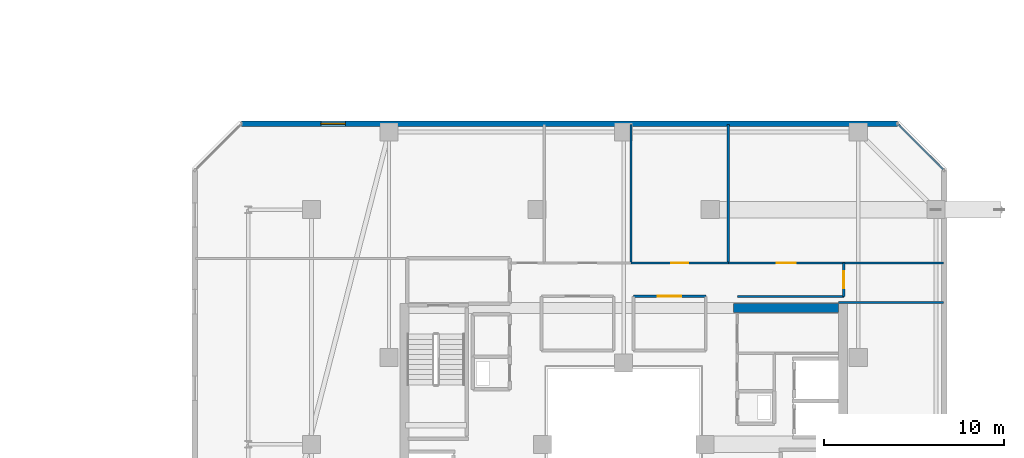
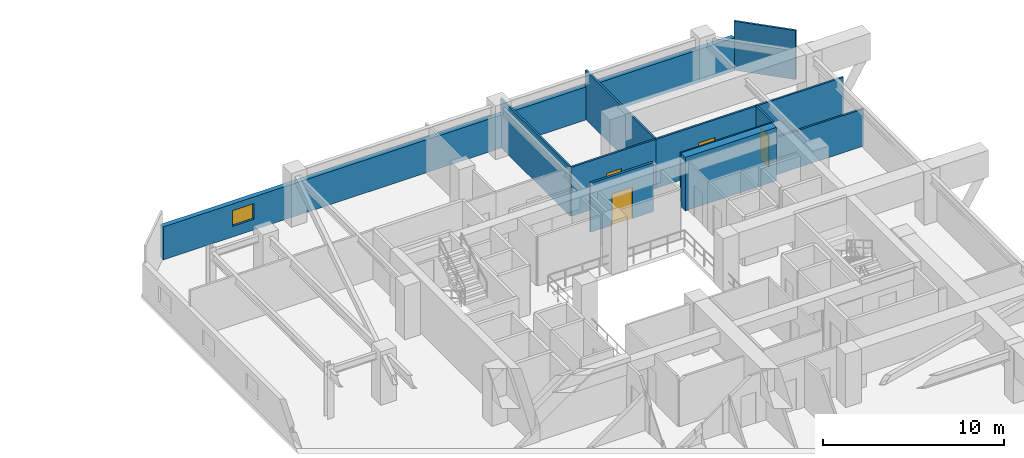
# One storey, part 28 of 35: 12 walls, 4 doors, 1 window, 5 openings.
"""IFC4 building model written with IfcOpenShell, lengths in metres."""

from ifc_helpers import new_model, si_unit, direction, frame, frame_2d, origin, place, context, subcontext, project, spatial, rectangle, extrude, material, layer, layer_set, type_object, element, fill, save


model = new_model("IFC4")

# Units and contexts
model_context = context("Model", 3, precision=1e-05, world=origin(), true_north=direction((0.0, 1.0)))
body_context = subcontext(model_context, "Body", "Model", "MODEL_VIEW")
ifc_project = project(units=[si_unit("LENGTHUNIT", "METRE"), si_unit("AREAUNIT", "SQUARE_METRE"), si_unit("VOLUMEUNIT", "CUBIC_METRE"), si_unit("PLANEANGLEUNIT", "RADIAN"), si_unit("MASSUNIT", "GRAM", prefix="KILO")], contexts=[model_context])

# Site, building, storey
site_placement = place(None, origin())
site = spatial("IfcSite", under=ifc_project, at=site_placement, CompositionType="ELEMENT")
building_placement = place(site_placement, origin())
building = spatial("IfcBuilding", under=site, at=building_placement, Name="Thornwick Lancets Civic Towers", CompositionType="ELEMENT")
storey_placement = place(building_placement, frame((0.0, 0.0, 225.89990234375)))
storey = spatial("IfcBuildingStorey", under=building, at=storey_placement, Name="L60", CompositionType="ELEMENT", Elevation=225.89990234375)

# Wall
ifc_material_1 = material(Name="Concrete C50/60", Category="concrete")
ifc_layer_1 = layer(ifc_material_1, 0.5, Name="Concrete C50/60")
ifc_layer_set_1 = layer_set([ifc_layer_1], Name="Concrete C50/60")
wall_type_1 = type_object("IfcWallType", Name="WALL_CORE_500", PredefinedType="SHEAR", material=ifc_layer_set_1)
wall_1_placement = place(storey_placement, frame((94.60009765625, 34.550048828125, 0.0), z_axis=(0.0, 0.0, 1.0), x_axis=(1.0, 0.0, 0.0)))
element("IfcWall", 1, at=wall_1_placement, inside=storey, type_object=wall_type_1, Name="L60 Split Core B1 Shear Wall N", PredefinedType="SHEAR", context=body_context, shape_type="SweptSolid", body=[
    extrude(rectangle(XDim=5.7998046875, YDim=0.5, at=frame_2d((2.89990234375, 0.0))), origin(), (0.0, 0.0, 1.0), 3.60009765625),
])

# Wall, opening, window
ifc_material_2 = material(Name="Insulated russet terracotta rainscreen on concrete C40/50", Category="masonry")
ifc_layer_2 = layer(ifc_material_2, 0.300048828125, Name="Insulated russet terracotta rainscreen on concrete C40/50")
ifc_layer_set_2 = layer_set([ifc_layer_2], Name="Insulated russet terracotta rainscreen on concrete C40/50")
wall_type_2 = type_object("IfcWallType", Name="WALL_EXT_RUSSET_300", PredefinedType="STANDARD", material=ifc_layer_set_2)
wall_2_placement = place(storey_placement, frame((103.681396484375, 44.7646484375, 0.0), z_axis=(0.0, 0.0, 1.0), x_axis=(-1.0, 0.0, 0.0)))
wall_2 = element("IfcWall", 2, at=wall_2_placement, inside=storey, type_object=wall_type_2, Name="L60 Tower B Terracotta Facade Wall E4", PredefinedType="STANDARD", context=body_context, shape_type="SweptSolid", body=[
    extrude(rectangle(XDim=36.36279296875, YDim=0.300048828125, at=frame_2d((18.181396484375, 0.0))), origin(), (0.0, 0.0, 1.0), 2.22021484375),
])
opening_1_placement = place(wall_2_placement, frame((30.60009765625, 0.0, 0.719970703125)))
opening_1 = element("IfcOpeningElement", 3, at=opening_1_placement, cuts=wall_2, Name="Opening WL-03", PredefinedType="OPENING", context=body_context, shape_type="SweptSolid", body=[
    extrude(rectangle(XDim=1.35009765625, YDim=1.050048828125, at=frame_2d((0.675048828125, 0.52490234375))), frame((0.0, 0.16015625, 0.0), z_axis=(0.0, -1.0, 0.0), x_axis=(1.0, 0.0, 0.0)), (0.0, 0.0, 1.0), 0.320068359375),
])
ifc_material_3 = material(Name="Clear low-e double glazing clerestory lancet", Category="glass")
window_type = type_object("IfcWindowType", Name="WIN_LANCET_1350", PartitioningType="SINGLE_PANEL", PredefinedType="WINDOW", material=ifc_material_3)
window_placement = place(opening_1_placement, origin())
window = element("IfcWindow", 4, at=window_placement, inside=storey, type_object=window_type, Name="L60 Tower B Staggered Lancet Window E4-1", OverallHeight=1.050048828125, OverallWidth=1.35009765625, PartitioningType="SINGLE_PANEL", PredefinedType="WINDOW", context=body_context, shape_type="SweptSolid", body=[
    extrude(rectangle(XDim=1.35009765625, YDim=1.050048828125, at=frame_2d((0.675048828125, 0.52490234375))), frame((0.0, 0.030029296875, 0.0), z_axis=(0.0, -1.0, 0.0), x_axis=(1.0, 0.0, 0.0)), (0.0, 0.0, 1.0), 0.06005859375),
])
fill(opening_1, window)

# Wall
ifc_material_4 = material(Name="Acoustic gypsum board partition")
ifc_layer_3 = layer(ifc_material_4, 0.1201171875, Name="Acoustic gypsum board partition")
ifc_layer_set_3 = layer_set([ifc_layer_3], Name="Acoustic gypsum board partition")
wall_type_3 = type_object("IfcWallType", Name="WALL_PART_120", PredefinedType="PARTITIONING", material=ifc_layer_set_3)
wall_3_placement = place(storey_placement, frame((94.800048828125, 35.199951171875, 0.0), z_axis=(0.0, 0.0, 1.0), x_axis=(1.0, 0.0, 0.0)))
element("IfcWall", 5, at=wall_3_placement, inside=storey, type_object=wall_type_3, Name="L60 Partition L60-B-RECLAIM-L E2", PredefinedType="PARTITIONING", context=body_context, shape_type="SweptSolid", body=[
    extrude(rectangle(XDim=5.89990234375, YDim=0.1201171875, at=frame_2d((2.949951171875, 0.0))), origin(), (0.0, 0.0, 1.0), 3.300048828125),
])

# Wall, opening, door
wall_4_placement = place(storey_placement, frame((100.699951171875, 35.199951171875, 0.0), z_axis=(0.0, 0.0, 1.0), x_axis=(0.0, 1.0, 0.0)))
wall_4 = element("IfcWall", 6, at=wall_4_placement, inside=storey, type_object=wall_type_3, Name="L60 Partition L60-B-RECLAIM-L E3", PredefinedType="PARTITIONING", context=body_context, shape_type="SweptSolid", body=[
    extrude(rectangle(XDim=1.85009765625, YDim=0.1201171875, at=frame_2d((0.925048828125, 0.0))), origin(), (0.0, 0.0, 1.0), 3.300048828125),
])
opening_2_placement = place(wall_4_placement, frame((0.449951171875, 0.0, 0.0)))
opening_2 = element("IfcOpeningElement", 7, at=opening_2_placement, cuts=wall_4, Name="Opening D-L60-2718", PredefinedType="OPENING", context=body_context, shape_type="SweptSolid", body=[
    extrude(rectangle(XDim=0.949951171875, YDim=2.10009765625, at=frame_2d((0.47509765625, 1.050048828125))), frame((0.0, 0.070068359375, 0.0), z_axis=(0.0, -1.0, 0.0), x_axis=(1.0, 0.0, 0.0)), (0.0, 0.0, 1.0), 0.14013671875),
])
ifc_material_5 = material(Name="European oak acoustic doorset")
door_type_1 = type_object("IfcDoorType", Name="DOOR_OFFICE_950", OperationType="NOTDEFINED", PredefinedType="DOOR", material=ifc_material_5)
door_1_placement = place(opening_2_placement, origin())
door_1 = element("IfcDoor", 8, at=door_1_placement, inside=storey, type_object=door_type_1, Name="L60 Tower B Parliamentary Drafting Library Door", OperationType="SINGLE_SWING_LEFT", OverallHeight=2.10009765625, OverallWidth=0.949951171875, PredefinedType="DOOR", context=body_context, shape_type="SweptSolid", body=[
    extrude(rectangle(XDim=0.949951171875, YDim=2.10009765625, at=frame_2d((0.47509765625, 1.050048828125))), frame((0.0, 0.02490234375, 0.0), z_axis=(0.0, -1.0, 0.0), x_axis=(1.0, 0.0, 0.0)), (0.0, 0.0, 1.0), 0.050048828125),
])
fill(opening_2, door_1)

# Walls
wall_5_placement = place(storey_placement, frame((100.699951171875, 37.050048828125, 0.0), z_axis=(0.0, 0.0, 1.0), x_axis=(1.0, 0.0, 0.0)))
element("IfcWall", 9, at=wall_5_placement, inside=storey, type_object=wall_type_3, Name="L60 Partition L60-B-RECLAIM-L E4", PredefinedType="PARTITIONING", context=body_context, shape_type="SweptSolid", body=[
    extrude(rectangle(XDim=5.52001953125, YDim=0.1201171875, at=frame_2d((2.760009765625, 0.0))), origin(), (0.0, 0.0, 1.0), 3.300048828125),
])
wall_6_placement = place(storey_placement, frame((106.219970703125, 34.85009765625, 0.0), z_axis=(0.0, 0.0, 1.0), x_axis=(-1.0, 0.0, 0.0)))
element("IfcWall", 10, at=wall_6_placement, inside=storey, type_object=wall_type_3, Name="L60 Partition L60-B-RECLAIM-L E6", PredefinedType="PARTITIONING", context=body_context, shape_type="SweptSolid", body=[
    extrude(rectangle(XDim=5.820068359375, YDim=0.1201171875, at=frame_2d((2.91015625, 0.0))), origin(), (0.0, 0.0, 1.0), 2.505126953125),
])

# Wall, opening, door
wall_7_placement = place(storey_placement, frame((100.699951171875, 37.050048828125, 0.0), z_axis=(0.0, 0.0, 1.0), x_axis=(-1.0, 0.0, 0.0)))
wall_7 = element("IfcWall", 11, at=wall_7_placement, inside=storey, type_object=wall_type_3, Name="L60 Partition L60-B-E1 E1", PredefinedType="PARTITIONING", context=body_context, shape_type="SweptSolid", body=[
    extrude(rectangle(XDim=6.39990234375, YDim=0.1201171875, at=frame_2d((3.199951171875, 0.0))), origin(), (0.0, 0.0, 1.0), 3.300048828125),
])
opening_3_placement = place(wall_7_placement, frame((2.675048828125, 0.0, 0.0)))
opening_3 = element("IfcOpeningElement", 12, at=opening_3_placement, cuts=wall_7, Name="Opening D-L60-2727", PredefinedType="OPENING", context=body_context, shape_type="SweptSolid", body=[
    extrude(rectangle(XDim=1.050048828125, YDim=2.10009765625, at=frame_2d((0.52490234375, 1.050048828125))), frame((0.0, 0.070068359375, 0.0), z_axis=(0.0, -1.0, 0.0), x_axis=(1.0, 0.0, 0.0)), (0.0, 0.0, 1.0), 0.14013671875),
])
ifc_material_6 = material(Name="Glazed European oak executive doorset")
door_type_2 = type_object("IfcDoorType", Name="DOOR_OFFICE_1050", OperationType="NOTDEFINED", PredefinedType="DOOR", material=ifc_material_6)
door_2_placement = place(opening_3_placement, origin())
door_2 = element("IfcDoor", 13, at=door_2_placement, inside=storey, type_object=door_type_2, Name="L60 Tower B Secretariat Open Office E1 Door", OperationType="SINGLE_SWING_RIGHT", OverallHeight=2.10009765625, OverallWidth=1.050048828125, PredefinedType="DOOR", context=body_context, shape_type="SweptSolid", body=[
    extrude(rectangle(XDim=1.050048828125, YDim=2.10009765625, at=frame_2d((0.52490234375, 1.050048828125))), frame((0.0, 0.02490234375, 0.0), z_axis=(0.0, -1.0, 0.0), x_axis=(1.0, 0.0, 0.0)), (0.0, 0.0, 1.0), 0.050048828125),
])
fill(opening_3, door_2)

# Walls
wall_8_placement = place(storey_placement, frame((94.300048828125, 37.050048828125, 0.0), z_axis=(0.0, 0.0, 1.0), x_axis=(0.0, 1.0, 0.0)))
element("IfcWall", 14, at=wall_8_placement, inside=storey, type_object=wall_type_3, Name="L60 Partition L60-B-E1 E2", PredefinedType="PARTITIONING", context=body_context, shape_type="SweptSolid", body=[
    extrude(rectangle(XDim=7.669921875, YDim=0.1201171875, at=frame_2d((3.8349609375, 0.0))), origin(), (0.0, 0.0, 1.0), 3.300048828125),
])
wall_9_placement = place(storey_placement, frame((103.725341796875, 44.719970703125, 0.0), z_axis=(0.0, 0.0, 1.0), x_axis=(0.707106781187, -0.707106781187, 0.0)))
element("IfcWall", 15, at=wall_9_placement, inside=storey, type_object=wall_type_3, Name="L60 Partition L60-B-E1 E4", PredefinedType="PARTITIONING", context=body_context, shape_type="SweptSolid", body=[
    extrude(rectangle(XDim=3.52783203125, YDim=0.1201171875, at=frame_2d((1.763916015625, 0.0))), origin(), (0.0, 0.0, 1.0), 3.300048828125),
])
wall_10_placement = place(storey_placement, frame((88.89990234375, 37.050048828125, 0.0), z_axis=(0.0, 0.0, 1.0), x_axis=(0.0, 1.0, 0.0)))
element("IfcWall", 16, at=wall_10_placement, inside=storey, type_object=wall_type_3, Name="L60 Partition L60-B-E2 E1", PredefinedType="PARTITIONING", context=body_context, shape_type="SweptSolid", body=[
    extrude(rectangle(XDim=7.669921875, YDim=0.1201171875, at=frame_2d((3.8349609375, 0.0))), origin(), (0.0, 0.0, 1.0), 3.300048828125),
])

# Wall, opening, door
wall_11_placement = place(storey_placement, frame((94.300048828125, 37.050048828125, 0.0), z_axis=(0.0, 0.0, 1.0), x_axis=(-1.0, 0.0, 0.0)))
wall_11 = element("IfcWall", 17, at=wall_11_placement, inside=storey, type_object=wall_type_3, Name="L60 Partition L60-B-E2 E4", PredefinedType="PARTITIONING", context=body_context, shape_type="SweptSolid", body=[
    extrude(rectangle(XDim=5.400146484375, YDim=0.1201171875, at=frame_2d((2.7001953125, 0.0))), origin(), (0.0, 0.0, 1.0), 3.300048828125),
])
opening_4_placement = place(wall_11_placement, frame((2.22509765625, 0.0, 0.0)))
opening_4 = element("IfcOpeningElement", 18, at=opening_4_placement, cuts=wall_11, Name="Opening D-L60-2728", PredefinedType="OPENING", context=body_context, shape_type="SweptSolid", body=[
    extrude(rectangle(XDim=0.949951171875, YDim=2.10009765625, at=frame_2d((0.47509765625, 1.050048828125))), frame((0.0, 0.070068359375, 0.0), z_axis=(0.0, -1.0, 0.0), x_axis=(1.0, 0.0, 0.0)), (0.0, 0.0, 1.0), 0.14013671875),
])
door_3_placement = place(opening_4_placement, origin())
door_3 = element("IfcDoor", 19, at=door_3_placement, inside=storey, type_object=door_type_1, Name="L60 Tower B Visitors Reception and Waiting Door", OperationType="SINGLE_SWING_LEFT", OverallHeight=2.10009765625, OverallWidth=0.949951171875, PredefinedType="DOOR", context=body_context, shape_type="SweptSolid", body=[
    extrude(rectangle(XDim=0.949951171875, YDim=2.10009765625, at=frame_2d((0.47509765625, 1.050048828125))), frame((0.0, 0.02490234375, 0.0), z_axis=(0.0, -1.0, 0.0), x_axis=(1.0, 0.0, 0.0)), (0.0, 0.0, 1.0), 0.050048828125),
])
fill(opening_4, door_3)

ifc_material_7 = material(Name="Twin-stud acoustic gypsum board")
ifc_layer_4 = layer(ifc_material_7, 0.14990234375, Name="Twin-stud acoustic gypsum board")
ifc_layer_set_4 = layer_set([ifc_layer_4], Name="Twin-stud acoustic gypsum board")
wall_type_4 = type_object("IfcWallType", Name="WALL_PART_150", PredefinedType="PARTITIONING", material=ifc_layer_set_4)
wall_12_placement = place(storey_placement, frame((89.050048828125, 35.199951171875, 0.0), z_axis=(0.0, 0.0, 1.0), x_axis=(1.0, 0.0, 0.0)))
wall_12 = element("IfcWall", 20, at=wall_12_placement, inside=storey, type_object=wall_type_4, Name="L60 Partition L60-B-E-ATR-1 E2", PredefinedType="PARTITIONING", context=body_context, shape_type="SweptSolid", body=[
    extrude(rectangle(XDim=4.0, YDim=0.14990234375, at=frame_2d((2.0, 0.0))), origin(), (0.0, 0.0, 1.0), 3.300048828125),
])
opening_5_placement = place(wall_12_placement, frame((1.35009765625, 0.0, 0.0)))
opening_5 = element("IfcOpeningElement", 21, at=opening_5_placement, cuts=wall_12, Name="Opening D-L60-2731", PredefinedType="OPENING", context=body_context, shape_type="SweptSolid", body=[
    extrude(rectangle(XDim=1.300048828125, YDim=2.1201171875, at=frame_2d((0.64990234375, 1.06005859375))), frame((0.0, 0.0849609375, 0.0), z_axis=(0.0, -1.0, 0.0), x_axis=(1.0, 0.0, 0.0)), (0.0, 0.0, 1.0), 0.169921875),
])
ifc_material_8 = material(Name="Acoustic oak leaf-and-a-half doorset")
door_type_3 = type_object("IfcDoorType", Name="DOOR_MEET_1300", OperationType="DOUBLE_DOOR_SINGLE_SWING", PredefinedType="DOOR", material=ifc_material_8)
door_4_placement = place(opening_5_placement, origin())
door_4 = element("IfcDoor", 22, at=door_4_placement, inside=storey, type_object=door_type_3, Name="L60 Tower B Atrium Briefing Room Door", OperationType="DOUBLE_DOOR_SINGLE_SWING", OverallHeight=2.1201171875, OverallWidth=1.300048828125, PredefinedType="DOOR", context=body_context, shape_type="SweptSolid", body=[
    extrude(rectangle(XDim=1.300048828125, YDim=2.1201171875, at=frame_2d((0.64990234375, 1.06005859375))), frame((0.0, 0.02490234375, 0.0), z_axis=(0.0, -1.0, 0.0), x_axis=(1.0, 0.0, 0.0)), (0.0, 0.0, 1.0), 0.050048828125),
])
fill(opening_5, door_4)

save(model, "model.ifc")
